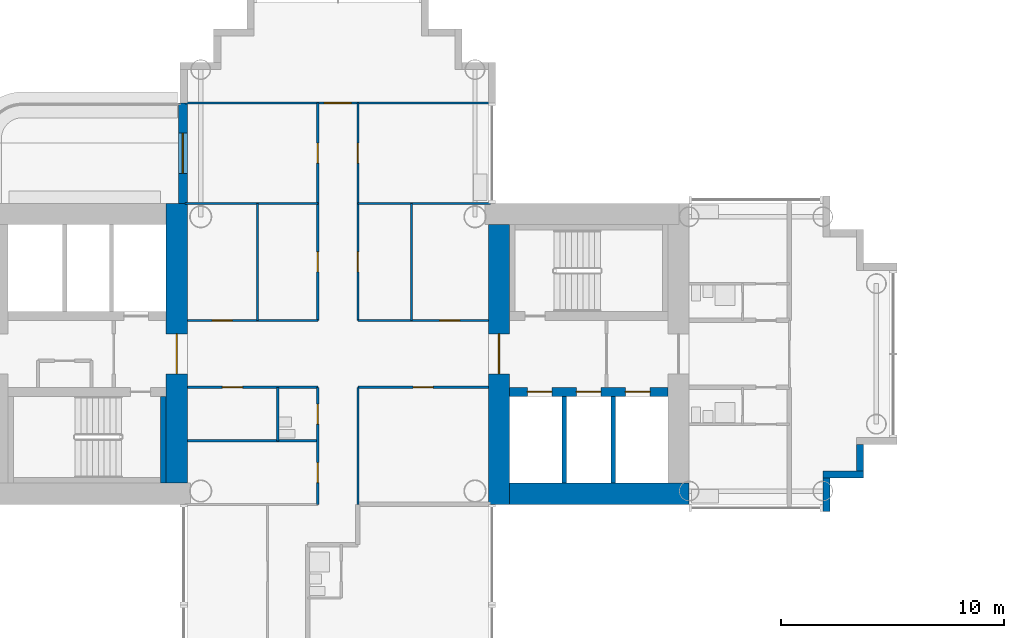
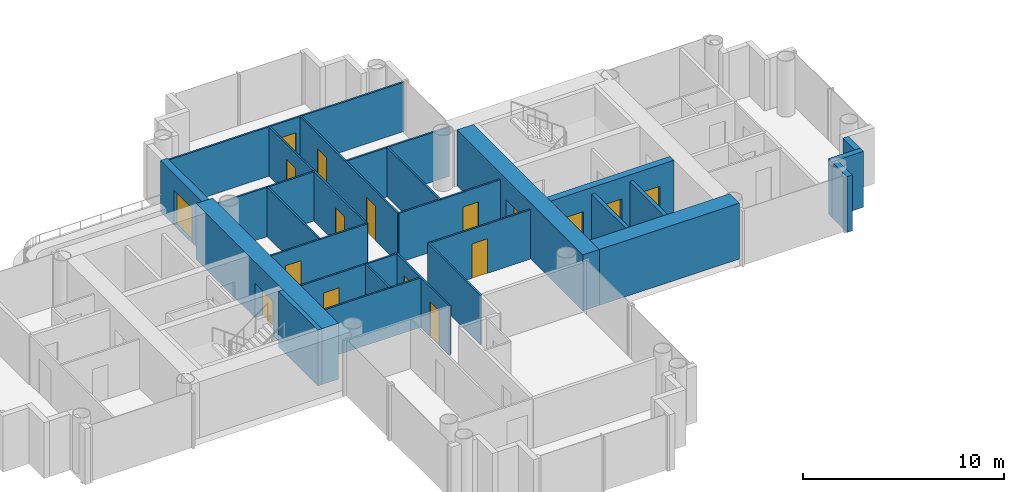
# One storey, part 10 of 21: 26 walls, 17 doors, 17 openings.
"""IFC4 building model written with IfcOpenShell, lengths in metres."""

from ifc_helpers import new_model, si_unit, direction, frame, frame_2d, origin, place, context, subcontext, project, spatial, rectangle, extrude, material, layer, layer_set, type_object, element, fill, save


model = new_model("IFC4")

# Units and contexts
model_context = context("Model", 3, precision=1e-05, world=origin(), true_north=direction((0.0, 1.0)))
body_context = subcontext(model_context, "Body", "Model", "MODEL_VIEW")
ifc_project = project(units=[si_unit("LENGTHUNIT", "METRE"), si_unit("AREAUNIT", "SQUARE_METRE"), si_unit("VOLUMEUNIT", "CUBIC_METRE"), si_unit("PLANEANGLEUNIT", "RADIAN"), si_unit("MASSUNIT", "GRAM", prefix="KILO")], contexts=[model_context])

# Site, building, storey
site_placement = place(None, origin())
site = spatial("IfcSite", under=ifc_project, at=site_placement, CompositionType="ELEMENT")
building_placement = place(site_placement, origin())
building = spatial("IfcBuilding", under=site, at=building_placement, Name="Ipe Terrace Towers", CompositionType="ELEMENT")
storey_placement = place(building_placement, frame((0.0, 0.0, 117.39990234375)))
storey = spatial("IfcBuildingStorey", under=building, at=storey_placement, Name="L32", CompositionType="ELEMENT", Elevation=117.39990234375)

# Wall, opening, door
ifc_material_1 = material(Name="Concrete C40/50 with buff precast cladding", Category="concrete")
ifc_layer_1 = layer(ifc_material_1, 0.39990234375)
ifc_layer_set_1 = layer_set([ifc_layer_1], Name="BALCONY BAY WALL 400")
wall_type_1 = type_object("IfcWallType", Name="BALCONY BAY WALL 400", PredefinedType="STANDARD", material=ifc_layer_set_1)
wall_1_placement = place(storey_placement, frame((-42.949951171875, 11.25, -0.02001953125), z_axis=(0.0, 0.0, 1.0), x_axis=(0.0, -1.0, 0.0)))
wall_1 = element("IfcWall", 1, at=wall_1_placement, inside=storey, type_object=wall_type_1, Name="T1-W-L32-44a wall", PredefinedType="STANDARD", context=body_context, shape_type="SweptSolid", body=[
    extrude(rectangle(XDim=4.5, YDim=0.39990234375, at=frame_2d((2.25, 0.0))), origin(), (0.0, 0.0, 1.0), 3.1201171875),
])
opening_1_placement = place(wall_1_placement, frame((1.35009765625, 0.0, 0.02001953125)))
opening_1 = element("IfcOpeningElement", 2, at=opening_1_placement, cuts=wall_1, Name="Opening T1-D-L32-44", PredefinedType="OPENING", context=body_context, shape_type="SweptSolid", body=[
    extrude(rectangle(XDim=1.800048828125, YDim=2.10009765625, at=frame_2d((0.89990234375, 1.050048828125))), frame((0.0, 0.2099609375, 0.0), z_axis=(0.0, -1.0, 0.0), x_axis=(1.0, 0.0, 0.0)), (0.0, 0.0, 1.0), 0.419921875),
])
ifc_material_2 = material(Name="Aluminium alloy 6063-T6 framed glazed door", Category="aluminium")
door_type_1 = type_object("IfcDoorType", Name="BALCONY DOOR 1800 x 2100 LEFT", OperationType="SINGLE_SWING_LEFT", PredefinedType="DOOR", material=ifc_material_2)
door_1_placement = place(opening_1_placement, origin())
door_1 = element("IfcDoor", 3, at=door_1_placement, inside=storey, type_object=door_type_1, Name="DB1 door", OperationType="SINGLE_SWING_LEFT", OverallHeight=2.10009765625, OverallWidth=1.800048828125, PredefinedType="DOOR", context=body_context, shape_type="SweptSolid", body=[
    extrude(rectangle(XDim=1.800048828125, YDim=2.10009765625, at=frame_2d((0.89990234375, 1.050048828125))), frame((0.0, 0.02490234375, 0.0), z_axis=(0.0, -1.0, 0.0), x_axis=(1.0, 0.0, 0.0)), (0.0, 0.0, 1.0), 0.050048828125),
])
fill(opening_1, door_1)

# Walls
ifc_material_3 = material(Name="Concrete C40/50 with buff precast cladding", Category="concrete")
ifc_layer_2 = layer(ifc_material_3, 0.320068359375)
ifc_layer_set_2 = layer_set([ifc_layer_2], Name="BUFF CLADDING WALL 320")
wall_type_2 = type_object("IfcWallType", Name="BUFF CLADDING WALL 320", PredefinedType="STANDARD", material=ifc_layer_set_2)
wall_2_placement = place(storey_placement, frame((-14.090087890625, -7.070068359375, -0.2998046875), z_axis=(0.0, 0.0, 1.0), x_axis=(0.0, 1.0, 0.0)))
element("IfcWall", 4, at=wall_2_placement, inside=storey, type_object=wall_type_2, Name="T1-W-L32-21a wall", PredefinedType="STANDARD", context=body_context, shape_type="SweptSolid", body=[
    extrude(rectangle(XDim=1.5, YDim=0.320068359375, at=frame_2d((0.75, 0.0))), origin(), (0.0, 0.0, 1.0), 3.39990234375),
])
wall_3_placement = place(storey_placement, frame((-14.25, -5.409912109375, -0.2998046875), z_axis=(0.0, 0.0, 1.0), x_axis=(1.0, 0.0, 0.0)))
element("IfcWall", 5, at=wall_3_placement, inside=storey, type_object=wall_type_2, Name="T1-W-L32-22a wall", PredefinedType="STANDARD", context=body_context, shape_type="SweptSolid", body=[
    extrude(rectangle(XDim=1.820068359375, YDim=0.320068359375, at=frame_2d((0.91015625, 0.0))), origin(), (0.0, 0.0, 1.0), 3.39990234375),
])
wall_4_placement = place(storey_placement, frame((-12.590087890625, -5.25, -0.2998046875), z_axis=(0.0, 0.0, 1.0), x_axis=(0.0, 1.0, 0.0)))
element("IfcWall", 6, at=wall_4_placement, inside=storey, type_object=wall_type_2, Name="T1-W-L32-23a wall", PredefinedType="STANDARD", context=body_context, shape_type="SweptSolid", body=[
    extrude(rectangle(XDim=1.179931640625, YDim=0.320068359375, at=frame_2d((0.58984375, 0.0))), origin(), (0.0, 0.0, 1.0), 3.39990234375),
])
ifc_material_4 = material(Name="Gypsum board partition", Category="plasterboard")
ifc_layer_3 = layer(ifc_material_4, 0.10009765625)
ifc_layer_set_3 = layer_set([ifc_layer_3], Name="Gypsum board partition 100 mm")
wall_type_3 = type_object("IfcWallType", Name="Gypsum board partition 100 mm", PredefinedType="PARTITIONING", material=ifc_layer_set_3)
wall_5_placement = place(storey_placement, frame((-39.60009765625, 1.5, 0.0), z_axis=(0.0, 0.0, 1.0), x_axis=(0.0, 1.0, 0.0)))
element("IfcWall", 7, at=wall_5_placement, inside=storey, type_object=wall_type_3, Name="Gypsum board partition T1 L32 W04", PredefinedType="PARTITIONING", context=body_context, shape_type="SweptSolid", body=[
    extrude(rectangle(XDim=5.25, YDim=0.10009765625, at=frame_2d((2.625, 0.0))), origin(), (0.0, 0.0, 1.0), 3.0),
])
wall_6_placement = place(storey_placement, frame((-38.699951171875, -3.89990234375, 0.0), z_axis=(0.0, 0.0, 1.0), x_axis=(0.0, 1.0, 0.0)))
element("IfcWall", 8, at=wall_6_placement, inside=storey, type_object=wall_type_3, Name="Gypsum board partition T1 L32 W06", PredefinedType="PARTITIONING", context=body_context, shape_type="SweptSolid", body=[
    extrude(rectangle(XDim=2.39990234375, YDim=0.10009765625, at=frame_2d((1.199951171875, 0.0))), origin(), (0.0, 0.0, 1.0), 3.0),
])

# Wall, openings, doors
wall_7_placement = place(storey_placement, frame((-36.89990234375, -6.75, 0.0), z_axis=(0.0, 0.0, 1.0), x_axis=(0.0, 1.0, 0.0)))
wall_7 = element("IfcWall", 9, at=wall_7_placement, inside=storey, type_object=wall_type_3, Name="Gypsum board partition T1 L32 W08", PredefinedType="PARTITIONING", context=body_context, shape_type="SweptSolid", body=[
    extrude(rectangle(XDim=5.25, YDim=0.10009765625, at=frame_2d((2.625, 0.0))), origin(), (0.0, 0.0, 1.0), 3.0),
])
opening_2_placement = place(wall_7_placement, frame((3.60009765625, 0.0, 0.0)))
opening_2 = element("IfcOpeningElement", 10, at=opening_2_placement, cuts=wall_7, Name="Opening T1-Z2A-01", PredefinedType="OPENING", context=body_context, shape_type="SweptSolid", body=[
    extrude(rectangle(XDim=0.89990234375, YDim=2.10009765625, at=frame_2d((0.449951171875, 1.050048828125))), frame((0.0, 0.06005859375, 0.0), z_axis=(0.0, -1.0, 0.0), x_axis=(1.0, 0.0, 0.0)), (0.0, 0.0, 1.0), 0.1201171875),
])
opening_3_placement = place(wall_7_placement, frame((0.97509765625, 0.0, 0.0)))
opening_3 = element("IfcOpeningElement", 11, at=opening_3_placement, cuts=wall_7, Name="Opening T1-Z2A-07", PredefinedType="OPENING", context=body_context, shape_type="SweptSolid", body=[
    extrude(rectangle(XDim=0.89990234375, YDim=2.10009765625, at=frame_2d((0.449951171875, 1.050048828125))), frame((0.0, 0.06005859375, 0.0), z_axis=(0.0, -1.0, 0.0), x_axis=(1.0, 0.0, 0.0)), (0.0, 0.0, 1.0), 0.1201171875),
])
ifc_material_5 = material(Name="Timber door leaf", Category="wood")
door_type_2 = type_object("IfcDoorType", Name="Bathroom door 900 x 2100", OperationType="NOTDEFINED", PredefinedType="DOOR", material=ifc_material_5)
door_2_placement = place(opening_2_placement, origin())
door_2 = element("IfcDoor", 12, at=door_2_placement, inside=storey, type_object=door_type_2, Name="Bathroom door T1-Z2A-01", OperationType="SINGLE_SWING_LEFT", OverallHeight=2.10009765625, OverallWidth=0.89990234375, PredefinedType="DOOR", context=body_context, shape_type="SweptSolid", body=[
    extrude(rectangle(XDim=0.89990234375, YDim=2.10009765625, at=frame_2d((0.449951171875, 1.050048828125))), frame((0.0, 0.02490234375, 0.0), z_axis=(0.0, -1.0, 0.0), x_axis=(1.0, 0.0, 0.0)), (0.0, 0.0, 1.0), 0.050048828125),
])
fill(opening_2, door_2)
ifc_material_6 = material(Name="Timber door leaf", Category="wood")
door_type_3 = type_object("IfcDoorType", Name="Lounge door 900 x 2100", OperationType="NOTDEFINED", PredefinedType="DOOR", material=ifc_material_6)
door_3_placement = place(opening_3_placement, origin())
door_3 = element("IfcDoor", 13, at=door_3_placement, inside=storey, type_object=door_type_3, Name="Lounge door T1-Z2A-07", OperationType="SINGLE_SWING_RIGHT", OverallHeight=2.10009765625, OverallWidth=0.89990234375, PredefinedType="DOOR", context=body_context, shape_type="SweptSolid", body=[
    extrude(rectangle(XDim=0.89990234375, YDim=2.10009765625, at=frame_2d((0.449951171875, 1.050048828125))), frame((0.0, 0.02490234375, 0.0), z_axis=(0.0, -1.0, 0.0), x_axis=(1.0, 0.0, 0.0)), (0.0, 0.0, 1.0), 0.050048828125),
])
fill(opening_3, door_3)

wall_8_placement = place(storey_placement, frame((-36.89990234375, 1.5, 0.0), z_axis=(0.0, 0.0, 1.0), x_axis=(0.0, 1.0, 0.0)))
wall_8 = element("IfcWall", 14, at=wall_8_placement, inside=storey, type_object=wall_type_3, Name="Gypsum board partition T1 L32 W09", PredefinedType="PARTITIONING", context=body_context, shape_type="SweptSolid", body=[
    extrude(rectangle(XDim=9.75, YDim=0.10009765625, at=frame_2d((4.875, 0.0))), origin(), (0.0, 0.0, 1.0), 3.0),
])
opening_4_placement = place(wall_8_placement, frame((2.175048828125, 0.0, 0.0)))
opening_4 = element("IfcOpeningElement", 15, at=opening_4_placement, cuts=wall_8, Name="Opening T1-Z2A-04", PredefinedType="OPENING", context=body_context, shape_type="SweptSolid", body=[
    extrude(rectangle(XDim=0.89990234375, YDim=2.10009765625, at=frame_2d((0.449951171875, 1.050048828125))), frame((0.0, 0.06005859375, 0.0), z_axis=(0.0, -1.0, 0.0), x_axis=(1.0, 0.0, 0.0)), (0.0, 0.0, 1.0), 0.1201171875),
])
opening_5_placement = place(wall_8_placement, frame((7.050048828125, 0.0, 0.0)))
opening_5 = element("IfcOpeningElement", 16, at=opening_5_placement, cuts=wall_8, Name="Opening T1-Z2A-09", PredefinedType="OPENING", context=body_context, shape_type="SweptSolid", body=[
    extrude(rectangle(XDim=0.89990234375, YDim=2.10009765625, at=frame_2d((0.449951171875, 1.050048828125))), frame((0.0, 0.06005859375, 0.0), z_axis=(0.0, -1.0, 0.0), x_axis=(1.0, 0.0, 0.0)), (0.0, 0.0, 1.0), 0.1201171875),
])
door_4_placement = place(opening_4_placement, origin())
door_4 = element("IfcDoor", 17, at=door_4_placement, inside=storey, type_object=door_type_3, Name="Lounge door T1-Z2A-04", OperationType="SINGLE_SWING_RIGHT", OverallHeight=2.10009765625, OverallWidth=0.89990234375, PredefinedType="DOOR", context=body_context, shape_type="SweptSolid", body=[
    extrude(rectangle(XDim=0.89990234375, YDim=2.10009765625, at=frame_2d((0.449951171875, 1.050048828125))), frame((0.0, 0.02490234375, 0.0), z_axis=(0.0, -1.0, 0.0), x_axis=(1.0, 0.0, 0.0)), (0.0, 0.0, 1.0), 0.050048828125),
])
fill(opening_4, door_4)
door_5_placement = place(opening_5_placement, origin())
door_5 = element("IfcDoor", 18, at=door_5_placement, inside=storey, type_object=door_type_3, Name="Lounge door T1-Z2A-09", OperationType="SINGLE_SWING_LEFT", OverallHeight=2.10009765625, OverallWidth=0.89990234375, PredefinedType="DOOR", context=body_context, shape_type="SweptSolid", body=[
    extrude(rectangle(XDim=0.89990234375, YDim=2.10009765625, at=frame_2d((0.449951171875, 1.050048828125))), frame((0.0, 0.02490234375, 0.0), z_axis=(0.0, -1.0, 0.0), x_axis=(1.0, 0.0, 0.0)), (0.0, 0.0, 1.0), 0.050048828125),
])
fill(opening_5, door_5)

# Wall
wall_9_placement = place(storey_placement, frame((-35.10009765625, -6.75, 0.0), z_axis=(0.0, 0.0, 1.0), x_axis=(0.0, 1.0, 0.0)))
element("IfcWall", 19, at=wall_9_placement, inside=storey, type_object=wall_type_3, Name="Gypsum board partition T1 L32 W11", PredefinedType="PARTITIONING", context=body_context, shape_type="SweptSolid", body=[
    extrude(rectangle(XDim=5.25, YDim=0.10009765625, at=frame_2d((2.625, 0.0))), origin(), (0.0, 0.0, 1.0), 3.0),
])

# Wall, openings, doors
wall_10_placement = place(storey_placement, frame((-35.10009765625, 1.5, 0.0), z_axis=(0.0, 0.0, 1.0), x_axis=(0.0, 1.0, 0.0)))
wall_10 = element("IfcWall", 20, at=wall_10_placement, inside=storey, type_object=wall_type_3, Name="Gypsum board partition T1 L32 W12", PredefinedType="PARTITIONING", context=body_context, shape_type="SweptSolid", body=[
    extrude(rectangle(XDim=9.75, YDim=0.10009765625, at=frame_2d((4.875, 0.0))), origin(), (0.0, 0.0, 1.0), 3.0),
])
opening_6_placement = place(wall_10_placement, frame((2.175048828125, 0.0, 0.0)))
opening_6 = element("IfcOpeningElement", 21, at=opening_6_placement, cuts=wall_10, Name="Opening T1-Z2A-02", PredefinedType="OPENING", context=body_context, shape_type="SweptSolid", body=[
    extrude(rectangle(XDim=0.89990234375, YDim=2.10009765625, at=frame_2d((0.449951171875, 1.050048828125))), frame((0.0, 0.06005859375, 0.0), z_axis=(0.0, -1.0, 0.0), x_axis=(1.0, 0.0, 0.0)), (0.0, 0.0, 1.0), 0.1201171875),
])
opening_7_placement = place(wall_10_placement, frame((7.050048828125, 0.0, 0.0)))
opening_7 = element("IfcOpeningElement", 22, at=opening_7_placement, cuts=wall_10, Name="Opening T1-Z2A-10", PredefinedType="OPENING", context=body_context, shape_type="SweptSolid", body=[
    extrude(rectangle(XDim=0.89990234375, YDim=2.10009765625, at=frame_2d((0.449951171875, 1.050048828125))), frame((0.0, 0.06005859375, 0.0), z_axis=(0.0, -1.0, 0.0), x_axis=(1.0, 0.0, 0.0)), (0.0, 0.0, 1.0), 0.1201171875),
])
door_6_placement = place(opening_6_placement, origin())
door_6 = element("IfcDoor", 23, at=door_6_placement, inside=storey, type_object=door_type_3, Name="Lounge door T1-Z2A-02", OperationType="SINGLE_SWING_LEFT", OverallHeight=2.10009765625, OverallWidth=0.89990234375, PredefinedType="DOOR", context=body_context, shape_type="SweptSolid", body=[
    extrude(rectangle(XDim=0.89990234375, YDim=2.10009765625, at=frame_2d((0.449951171875, 1.050048828125))), frame((0.0, 0.02490234375, 0.0), z_axis=(0.0, -1.0, 0.0), x_axis=(1.0, 0.0, 0.0)), (0.0, 0.0, 1.0), 0.050048828125),
])
fill(opening_6, door_6)
door_7_placement = place(opening_7_placement, origin())
door_7 = element("IfcDoor", 24, at=door_7_placement, inside=storey, type_object=door_type_3, Name="Lounge door T1-Z2A-10", OperationType="SINGLE_SWING_RIGHT", OverallHeight=2.10009765625, OverallWidth=0.89990234375, PredefinedType="DOOR", context=body_context, shape_type="SweptSolid", body=[
    extrude(rectangle(XDim=0.89990234375, YDim=2.10009765625, at=frame_2d((0.449951171875, 1.050048828125))), frame((0.0, 0.02490234375, 0.0), z_axis=(0.0, -1.0, 0.0), x_axis=(1.0, 0.0, 0.0)), (0.0, 0.0, 1.0), 0.050048828125),
])
fill(opening_7, door_7)

# Walls
wall_11_placement = place(storey_placement, frame((-32.699951171875, 1.5, 0.0), z_axis=(0.0, 0.0, 1.0), x_axis=(0.0, 1.0, 0.0)))
element("IfcWall", 25, at=wall_11_placement, inside=storey, type_object=wall_type_3, Name="Gypsum board partition T1 L32 W14", PredefinedType="PARTITIONING", context=body_context, shape_type="SweptSolid", body=[
    extrude(rectangle(XDim=5.25, YDim=0.10009765625, at=frame_2d((2.625, 0.0))), origin(), (0.0, 0.0, 1.0), 3.0),
])
wall_12_placement = place(storey_placement, frame((-42.75, -3.89990234375, 0.0), z_axis=(0.0, 0.0, 1.0), x_axis=(1.0, 0.0, 0.0)))
element("IfcWall", 26, at=wall_12_placement, inside=storey, type_object=wall_type_3, Name="Gypsum board partition T1 L32 W26", PredefinedType="PARTITIONING", context=body_context, shape_type="SweptSolid", body=[
    extrude(rectangle(XDim=5.85009765625, YDim=0.10009765625, at=frame_2d((2.925048828125, 0.0))), origin(), (0.0, 0.0, 1.0), 3.0),
])

# Wall, opening, door
wall_13_placement = place(storey_placement, frame((-42.75, -1.5, 0.0), z_axis=(0.0, 0.0, 1.0), x_axis=(1.0, 0.0, 0.0)))
wall_13 = element("IfcWall", 27, at=wall_13_placement, inside=storey, type_object=wall_type_3, Name="Gypsum board partition T1 L32 W29", PredefinedType="PARTITIONING", context=body_context, shape_type="SweptSolid", body=[
    extrude(rectangle(XDim=5.85009765625, YDim=0.10009765625, at=frame_2d((2.925048828125, 0.0))), origin(), (0.0, 0.0, 1.0), 3.0),
])
opening_8_placement = place(wall_13_placement, frame((1.574951171875, 0.0, 0.0)))
opening_8 = element("IfcOpeningElement", 28, at=opening_8_placement, cuts=wall_13, Name="Opening T1-Z2A-06", PredefinedType="OPENING", context=body_context, shape_type="SweptSolid", body=[
    extrude(rectangle(XDim=0.89990234375, YDim=2.10009765625, at=frame_2d((0.449951171875, 1.050048828125))), frame((0.0, 0.06005859375, 0.0), z_axis=(0.0, -1.0, 0.0), x_axis=(1.0, 0.0, 0.0)), (0.0, 0.0, 1.0), 0.1201171875),
])
door_8_placement = place(opening_8_placement, origin())
door_8 = element("IfcDoor", 29, at=door_8_placement, inside=storey, type_object=door_type_3, Name="Lounge door T1-Z2A-06", OperationType="SINGLE_SWING_LEFT", OverallHeight=2.10009765625, OverallWidth=0.89990234375, PredefinedType="DOOR", context=body_context, shape_type="SweptSolid", body=[
    extrude(rectangle(XDim=0.89990234375, YDim=2.10009765625, at=frame_2d((0.449951171875, 1.050048828125))), frame((0.0, 0.02490234375, 0.0), z_axis=(0.0, -1.0, 0.0), x_axis=(1.0, 0.0, 0.0)), (0.0, 0.0, 1.0), 0.050048828125),
])
fill(opening_8, door_8)

wall_14_placement = place(storey_placement, frame((-35.10009765625, -1.5, 0.0), z_axis=(0.0, 0.0, 1.0), x_axis=(1.0, 0.0, 0.0)))
wall_14 = element("IfcWall", 30, at=wall_14_placement, inside=storey, type_object=wall_type_3, Name="Gypsum board partition T1 L32 W30", PredefinedType="PARTITIONING", context=body_context, shape_type="SweptSolid", body=[
    extrude(rectangle(XDim=5.85009765625, YDim=0.10009765625, at=frame_2d((2.925048828125, 0.0))), origin(), (0.0, 0.0, 1.0), 3.0),
])
opening_9_placement = place(wall_14_placement, frame((2.47509765625, 0.0, 0.0)))
opening_9 = element("IfcOpeningElement", 31, at=opening_9_placement, cuts=wall_14, Name="Opening T1-Z2A-08", PredefinedType="OPENING", context=body_context, shape_type="SweptSolid", body=[
    extrude(rectangle(XDim=0.89990234375, YDim=2.10009765625, at=frame_2d((0.449951171875, 1.050048828125))), frame((0.0, 0.06005859375, 0.0), z_axis=(0.0, -1.0, 0.0), x_axis=(1.0, 0.0, 0.0)), (0.0, 0.0, 1.0), 0.1201171875),
])
door_9_placement = place(opening_9_placement, origin())
door_9 = element("IfcDoor", 32, at=door_9_placement, inside=storey, type_object=door_type_3, Name="Lounge door T1-Z2A-08", OperationType="SINGLE_SWING_RIGHT", OverallHeight=2.10009765625, OverallWidth=0.89990234375, PredefinedType="DOOR", context=body_context, shape_type="SweptSolid", body=[
    extrude(rectangle(XDim=0.89990234375, YDim=2.10009765625, at=frame_2d((0.449951171875, 1.050048828125))), frame((0.0, 0.02490234375, 0.0), z_axis=(0.0, -1.0, 0.0), x_axis=(1.0, 0.0, 0.0)), (0.0, 0.0, 1.0), 0.050048828125),
])
fill(opening_9, door_9)

wall_15_placement = place(storey_placement, frame((-42.75, 1.5, 0.0), z_axis=(0.0, 0.0, 1.0), x_axis=(1.0, 0.0, 0.0)))
wall_15 = element("IfcWall", 33, at=wall_15_placement, inside=storey, type_object=wall_type_3, Name="Gypsum board partition T1 L32 W32", PredefinedType="PARTITIONING", context=body_context, shape_type="SweptSolid", body=[
    extrude(rectangle(XDim=5.85009765625, YDim=0.10009765625, at=frame_2d((2.925048828125, 0.0))), origin(), (0.0, 0.0, 1.0), 3.0),
])
opening_10_placement = place(wall_15_placement, frame((1.125, 0.0, 0.0)))
opening_10 = element("IfcOpeningElement", 34, at=opening_10_placement, cuts=wall_15, Name="Opening T1-Z2A-05", PredefinedType="OPENING", context=body_context, shape_type="SweptSolid", body=[
    extrude(rectangle(XDim=0.89990234375, YDim=2.10009765625, at=frame_2d((0.449951171875, 1.050048828125))), frame((0.0, 0.06005859375, 0.0), z_axis=(0.0, -1.0, 0.0), x_axis=(1.0, 0.0, 0.0)), (0.0, 0.0, 1.0), 0.1201171875),
])
door_10_placement = place(opening_10_placement, origin())
door_10 = element("IfcDoor", 35, at=door_10_placement, inside=storey, type_object=door_type_3, Name="Lounge door T1-Z2A-05", OperationType="SINGLE_SWING_RIGHT", OverallHeight=2.10009765625, OverallWidth=0.89990234375, PredefinedType="DOOR", context=body_context, shape_type="SweptSolid", body=[
    extrude(rectangle(XDim=0.89990234375, YDim=2.10009765625, at=frame_2d((0.449951171875, 1.050048828125))), frame((0.0, 0.02490234375, 0.0), z_axis=(0.0, -1.0, 0.0), x_axis=(1.0, 0.0, 0.0)), (0.0, 0.0, 1.0), 0.050048828125),
])
fill(opening_10, door_10)

wall_16_placement = place(storey_placement, frame((-35.10009765625, 1.5, 0.0), z_axis=(0.0, 0.0, 1.0), x_axis=(1.0, 0.0, 0.0)))
wall_16 = element("IfcWall", 36, at=wall_16_placement, inside=storey, type_object=wall_type_3, Name="Gypsum board partition T1 L32 W33", PredefinedType="PARTITIONING", context=body_context, shape_type="SweptSolid", body=[
    extrude(rectangle(XDim=5.85009765625, YDim=0.10009765625, at=frame_2d((2.925048828125, 0.0))), origin(), (0.0, 0.0, 1.0), 3.0),
])
opening_11_placement = place(wall_16_placement, frame((3.675048828125, 0.0, 0.0)))
opening_11 = element("IfcOpeningElement", 37, at=opening_11_placement, cuts=wall_16, Name="Opening T1-Z2A-03", PredefinedType="OPENING", context=body_context, shape_type="SweptSolid", body=[
    extrude(rectangle(XDim=0.89990234375, YDim=2.10009765625, at=frame_2d((0.449951171875, 1.050048828125))), frame((0.0, 0.06005859375, 0.0), z_axis=(0.0, -1.0, 0.0), x_axis=(1.0, 0.0, 0.0)), (0.0, 0.0, 1.0), 0.1201171875),
])
door_11_placement = place(opening_11_placement, origin())
door_11 = element("IfcDoor", 38, at=door_11_placement, inside=storey, type_object=door_type_3, Name="Lounge door T1-Z2A-03", OperationType="SINGLE_SWING_LEFT", OverallHeight=2.10009765625, OverallWidth=0.89990234375, PredefinedType="DOOR", context=body_context, shape_type="SweptSolid", body=[
    extrude(rectangle(XDim=0.89990234375, YDim=2.10009765625, at=frame_2d((0.449951171875, 1.050048828125))), frame((0.0, 0.02490234375, 0.0), z_axis=(0.0, -1.0, 0.0), x_axis=(1.0, 0.0, 0.0)), (0.0, 0.0, 1.0), 0.050048828125),
])
fill(opening_11, door_11)

# Walls
for number, where, z_axis, x_axis, name in (
    (39, (-42.85009765625, 6.75, 0.0), (0.0, 0.0, 1.0), (1.0, 0.0, 0.0), "Gypsum board partition T1 L32 W38"),
    (40, (-35.10009765625, 6.75, 0.0), (0.0, 0.0, 1.0), (1.0, 0.0, 0.0), "Gypsum board partition T1 L32 W39"),
):
    element("IfcWall", number, at=place(storey_placement, frame(where, z_axis=z_axis, x_axis=x_axis)), inside=storey, type_object=wall_type_3, Name=name, PredefinedType="PARTITIONING", context=body_context, shape_type="SweptSolid", body=[
        extrude(rectangle(XDim=5.9501953125, YDim=0.10009765625, at=frame_2d((2.97509765625, 0.0))), origin(), (0.0, 0.0, 1.0), 3.0),
    ])

# Wall, opening, door
wall_17_placement = place(storey_placement, frame((-42.85009765625, 11.25, 0.0), z_axis=(0.0, 0.0, 1.0), x_axis=(1.0, 0.0, 0.0)))
wall_17 = element("IfcWall", 41, at=wall_17_placement, inside=storey, type_object=wall_type_3, Name="Gypsum board partition T1 L32 W40", PredefinedType="PARTITIONING", context=body_context, shape_type="SweptSolid", body=[
    extrude(rectangle(XDim=13.7001953125, YDim=0.10009765625, at=frame_2d((6.85009765625, 0.0))), origin(), (0.0, 0.0, 1.0), 3.0),
])
opening_12_placement = place(wall_17_placement, frame((6.25, 0.0, 0.0)))
opening_12 = element("IfcOpeningElement", 42, at=opening_12_placement, cuts=wall_17, Name="Opening T1-Z2A-11", PredefinedType="OPENING", context=body_context, shape_type="SweptSolid", body=[
    extrude(rectangle(XDim=1.199951171875, YDim=2.10009765625, at=frame_2d((0.60009765625, 1.050048828125))), frame((0.0, 0.06005859375, 0.0), z_axis=(0.0, -1.0, 0.0), x_axis=(1.0, 0.0, 0.0)), (0.0, 0.0, 1.0), 0.1201171875),
])
ifc_material_7 = material(Name="Timber door leaf", Category="wood")
door_type_4 = type_object("IfcDoorType", Name="Lounge door 1200 x 2100", OperationType="NOTDEFINED", PredefinedType="DOOR", material=ifc_material_7)
door_12_placement = place(opening_12_placement, origin())
door_12 = element("IfcDoor", 43, at=door_12_placement, inside=storey, type_object=door_type_4, Name="Lounge door T1-Z2A-11", OperationType="SINGLE_SWING_LEFT", OverallHeight=2.10009765625, OverallWidth=1.199951171875, PredefinedType="DOOR", context=body_context, shape_type="SweptSolid", body=[
    extrude(rectangle(XDim=1.199951171875, YDim=2.10009765625, at=frame_2d((0.60009765625, 1.050048828125))), frame((0.0, 0.02490234375, 0.0), z_axis=(0.0, -1.0, 0.0), x_axis=(1.0, 0.0, 0.0)), (0.0, 0.0, 1.0), 0.050048828125),
])
fill(opening_12, door_12)

# Walls
ifc_material_8 = material(Name="Gypsum board party wall", Category="plasterboard")
ifc_layer_4 = layer(ifc_material_8, 0.199951171875)
ifc_layer_set_4 = layer_set([ifc_layer_4], Name="Gypsum board party wall 200 mm")
wall_type_4 = type_object("IfcWallType", Name="Gypsum board party wall 200 mm", PredefinedType="SOLIDWALL", material=ifc_layer_set_4)
for number, where, z_axis, x_axis, name in (
    (44, (-25.85009765625, -5.800048828125, 0.0), (0.0, 0.0, 1.0), (0.0, 1.0, 0.0), "Gypsum board party wall T1 L32 t1c1-shaft-div1"),
    (45, (-23.64990234375, -5.800048828125, 0.0), (0.0, 0.0, 1.0), (0.0, 1.0, 0.0), "Gypsum board party wall T1 L32 t1c1-shaft-div2"),
):
    element("IfcWall", number, at=place(storey_placement, frame(where, z_axis=z_axis, x_axis=x_axis)), inside=storey, type_object=wall_type_4, Name=name, PredefinedType="SOLIDWALL", context=body_context, shape_type="SweptSolid", body=[
        extrude(rectangle(XDim=3.900146484375, YDim=0.199951171875, at=frame_2d((1.9501953125, 0.0))), origin(), (0.0, 0.0, 1.0), 3.0),
    ])
ifc_material_9 = material(Name="Concrete C50/60", Category="concrete")
ifc_layer_5 = layer(ifc_material_9, 0.25)
ifc_layer_set_5 = layer_set([ifc_layer_5], Name="RW250 CORE INFILL WALL 250 C50-60")
wall_type_5 = type_object("IfcWallType", Name="RW250 CORE INFILL WALL 250 C50-60", PredefinedType="SHEAR", material=ifc_layer_set_5)
wall_18_placement = place(storey_placement, frame((-43.824951171875, -1.89990234375, 0.0), z_axis=(0.0, 0.0, 1.0), x_axis=(0.0, -1.0, 0.0)))
element("IfcWall", 46, at=wall_18_placement, inside=storey, type_object=wall_type_5, Name="Core infill wall T1-C2-near", PredefinedType="SHEAR", context=body_context, shape_type="SweptSolid", body=[
    extrude(rectangle(XDim=3.900146484375, YDim=0.25, at=frame_2d((1.9501953125, 0.0))), origin(), (0.0, 0.0, 1.0), 3.400146484375),
])

# Wall, openings, doors
ifc_material_10 = material(Name="Concrete C50/60", Category="concrete")
ifc_layer_6 = layer(ifc_material_10, 0.39990234375)
ifc_layer_set_6 = layer_set([ifc_layer_6], Name="RW400 CORE SPINE WALL 400 C50-60")
wall_type_6 = type_object("IfcWallType", Name="RW400 CORE SPINE WALL 400 C50-60", PredefinedType="SHEAR", material=ifc_layer_set_6)
wall_19_placement = place(storey_placement, frame((-28.300048828125, -1.699951171875, 0.0), z_axis=(0.0, 0.0, 1.0), x_axis=(1.0, 0.0, 0.0)))
wall_19 = element("IfcWall", 47, at=wall_19_placement, inside=storey, type_object=wall_type_6, Name="Core spine wall T1-C1-Z2-SW1", PredefinedType="SHEAR", context=body_context, shape_type="SweptSolid", body=[
    extrude(rectangle(XDim=7.10009765625, YDim=0.39990234375, at=frame_2d((3.550048828125, 0.0))), origin(), (0.0, 0.0, 1.0), 3.400146484375),
])
opening_13_placement = place(wall_19_placement, frame((0.800048828125, 0.0, 0.0)))
opening_13 = element("IfcOpeningElement", 48, at=opening_13_placement, cuts=wall_19, Name="Opening T1C1-LD1", PredefinedType="OPENING", context=body_context, shape_type="SweptSolid", body=[
    extrude(rectangle(XDim=1.10009765625, YDim=2.10009765625, at=frame_2d((0.550048828125, 1.050048828125))), frame((0.0, 0.2099609375, 0.0), z_axis=(0.0, -1.0, 0.0), x_axis=(1.0, 0.0, 0.0)), (0.0, 0.0, 1.0), 0.419921875),
])
opening_14_placement = place(wall_19_placement, frame((3.0, 0.0, 0.0)))
opening_14 = element("IfcOpeningElement", 49, at=opening_14_placement, cuts=wall_19, Name="Opening T1C1-LD2", PredefinedType="OPENING", context=body_context, shape_type="SweptSolid", body=[
    extrude(rectangle(XDim=1.10009765625, YDim=2.10009765625, at=frame_2d((0.550048828125, 1.050048828125))), frame((0.0, 0.2099609375, 0.0), z_axis=(0.0, -1.0, 0.0), x_axis=(1.0, 0.0, 0.0)), (0.0, 0.0, 1.0), 0.419921875),
])
opening_15_placement = place(wall_19_placement, frame((5.199951171875, 0.0, 0.0)))
opening_15 = element("IfcOpeningElement", 50, at=opening_15_placement, cuts=wall_19, Name="Opening T1C1-LD3", PredefinedType="OPENING", context=body_context, shape_type="SweptSolid", body=[
    extrude(rectangle(XDim=1.10009765625, YDim=2.10009765625, at=frame_2d((0.550048828125, 1.050048828125))), frame((0.0, 0.2099609375, 0.0), z_axis=(0.0, -1.0, 0.0), x_axis=(1.0, 0.0, 0.0)), (0.0, 0.0, 1.0), 0.419921875),
])
ifc_material_11 = material(Name="Fire-rated timber door leaf", Category="wood")
door_type_5 = type_object("IfcDoorType", Name="Sliding door 1100 x 2100 FD60", OperationType="SLIDING_TO_LEFT", PredefinedType="DOOR", material=ifc_material_11)
door_13_placement = place(opening_13_placement, origin())
door_13 = element("IfcDoor", 51, at=door_13_placement, inside=storey, type_object=door_type_5, Name="Sliding door T1C1-LD1", OperationType="SLIDING_TO_LEFT", OverallHeight=2.10009765625, OverallWidth=1.10009765625, PredefinedType="DOOR", context=body_context, shape_type="SweptSolid", body=[
    extrude(rectangle(XDim=1.10009765625, YDim=2.10009765625, at=frame_2d((0.550048828125, 1.050048828125))), frame((0.0, 0.02490234375, 0.0), z_axis=(0.0, -1.0, 0.0), x_axis=(1.0, 0.0, 0.0)), (0.0, 0.0, 1.0), 0.050048828125),
])
fill(opening_13, door_13)
door_14_placement = place(opening_14_placement, origin())
door_14 = element("IfcDoor", 52, at=door_14_placement, inside=storey, type_object=door_type_5, Name="Sliding door T1C1-LD2", OperationType="SLIDING_TO_LEFT", OverallHeight=2.10009765625, OverallWidth=1.10009765625, PredefinedType="DOOR", context=body_context, shape_type="SweptSolid", body=[
    extrude(rectangle(XDim=1.10009765625, YDim=2.10009765625, at=frame_2d((0.550048828125, 1.050048828125))), frame((0.0, 0.02490234375, 0.0), z_axis=(0.0, -1.0, 0.0), x_axis=(1.0, 0.0, 0.0)), (0.0, 0.0, 1.0), 0.050048828125),
])
fill(opening_14, door_14)
door_15_placement = place(opening_15_placement, origin())
door_15 = element("IfcDoor", 53, at=door_15_placement, inside=storey, type_object=door_type_5, Name="Sliding door T1C1-LD3", OperationType="SLIDING_TO_LEFT", OverallHeight=2.10009765625, OverallWidth=1.10009765625, PredefinedType="DOOR", context=body_context, shape_type="SweptSolid", body=[
    extrude(rectangle(XDim=1.10009765625, YDim=2.10009765625, at=frame_2d((0.550048828125, 1.050048828125))), frame((0.0, 0.02490234375, 0.0), z_axis=(0.0, -1.0, 0.0), x_axis=(1.0, 0.0, 0.0)), (0.0, 0.0, 1.0), 0.050048828125),
])
fill(opening_15, door_15)

# Wall
ifc_material_12 = material(Name="Concrete C50/60", Category="concrete")
ifc_layer_7 = layer(ifc_material_12, 0.949951171875)
ifc_layer_set_7 = layer_set([ifc_layer_7], Name="RW950 CORE WALL 950 C50-60")
wall_type_7 = type_object("IfcWallType", Name="RW950 CORE WALL 950 C50-60", PredefinedType="SHEAR", material=ifc_layer_set_7)
wall_20_placement = place(storey_placement, frame((-28.300048828125, -6.27490234375, 0.0), z_axis=(0.0, 0.0, 1.0), x_axis=(1.0, 0.0, 0.0)))
element("IfcWall", 54, at=wall_20_placement, inside=storey, type_object=wall_type_7, Name="Core wall T1-C1-Z2-W01", PredefinedType="SHEAR", context=body_context, shape_type="SweptSolid", body=[
    extrude(rectangle(XDim=8.050048828125, YDim=0.949951171875, at=frame_2d((4.02490234375, 0.0))), origin(), (0.0, 0.0, 1.0), 3.400146484375),
])

# Wall, opening, door
wall_21_placement = place(storey_placement, frame((-28.77490234375, 5.800048828125, 0.0), z_axis=(0.0, 0.0, 1.0), x_axis=(0.0, -1.0, 0.0)))
wall_21 = element("IfcWall", 55, at=wall_21_placement, inside=storey, type_object=wall_type_7, Name="Core wall T1-C1-Z2-W04", PredefinedType="SHEAR", context=body_context, shape_type="SweptSolid", body=[
    extrude(rectangle(XDim=12.550048828125, YDim=0.949951171875, at=frame_2d((6.27490234375, 0.0))), origin(), (0.0, 0.0, 1.0), 3.400146484375),
])
opening_16_placement = place(wall_21_placement, frame((4.89990234375, 0.0, 0.0)))
opening_16 = element("IfcOpeningElement", 56, at=opening_16_placement, cuts=wall_21, Name="Opening T1C1-ND", PredefinedType="OPENING", context=body_context, shape_type="SweptSolid", body=[
    extrude(rectangle(XDim=1.800048828125, YDim=2.10009765625, at=frame_2d((0.89990234375, 1.050048828125))), frame((0.0, 0.48486328125, 0.0), z_axis=(0.0, -1.0, 0.0), x_axis=(1.0, 0.0, 0.0)), (0.0, 0.0, 1.0), 0.969970703125),
])
ifc_material_13 = material(Name="Fire-rated timber door leaf", Category="wood")
door_type_6 = type_object("IfcDoorType", Name="Fire door 1800 x 2100 FD30S", OperationType="NOTDEFINED", PredefinedType="DOOR", material=ifc_material_13)
door_16_placement = place(opening_16_placement, origin())
door_16 = element("IfcDoor", 57, at=door_16_placement, inside=storey, type_object=door_type_6, Name="Fire door T1C1-ND", OperationType="SINGLE_SWING_LEFT", OverallHeight=2.10009765625, OverallWidth=1.800048828125, PredefinedType="DOOR", context=body_context, shape_type="SweptSolid", body=[
    extrude(rectangle(XDim=1.800048828125, YDim=2.10009765625, at=frame_2d((0.89990234375, 1.050048828125))), frame((0.0, 0.02490234375, 0.0), z_axis=(0.0, -1.0, 0.0), x_axis=(1.0, 0.0, 0.0)), (0.0, 0.0, 1.0), 0.050048828125),
])
fill(opening_16, door_16)

wall_22_placement = place(storey_placement, frame((-43.22509765625, -5.800048828125, 0.0), z_axis=(0.0, 0.0, 1.0), x_axis=(0.0, 1.0, 0.0)))
wall_22 = element("IfcWall", 58, at=wall_22_placement, inside=storey, type_object=wall_type_7, Name="Core wall T1-C2-Z2-W02", PredefinedType="SHEAR", context=body_context, shape_type="SweptSolid", body=[
    extrude(rectangle(XDim=12.550048828125, YDim=0.949951171875, at=frame_2d((6.27490234375, 0.0))), origin(), (0.0, 0.0, 1.0), 3.400146484375),
])
opening_17_placement = place(wall_22_placement, frame((4.89990234375, 0.0, 0.0)))
opening_17 = element("IfcOpeningElement", 59, at=opening_17_placement, cuts=wall_22, Name="Opening T1C2-ND", PredefinedType="OPENING", context=body_context, shape_type="SweptSolid", body=[
    extrude(rectangle(XDim=1.800048828125, YDim=2.10009765625, at=frame_2d((0.89990234375, 1.050048828125))), frame((0.0, 0.48486328125, 0.0), z_axis=(0.0, -1.0, 0.0), x_axis=(1.0, 0.0, 0.0)), (0.0, 0.0, 1.0), 0.969970703125),
])
door_17_placement = place(opening_17_placement, origin())
door_17 = element("IfcDoor", 60, at=door_17_placement, inside=storey, type_object=door_type_6, Name="Fire door T1C2-ND", OperationType="SINGLE_SWING_LEFT", OverallHeight=2.10009765625, OverallWidth=1.800048828125, PredefinedType="DOOR", context=body_context, shape_type="SweptSolid", body=[
    extrude(rectangle(XDim=1.800048828125, YDim=2.10009765625, at=frame_2d((0.89990234375, 1.050048828125))), frame((0.0, 0.02490234375, 0.0), z_axis=(0.0, -1.0, 0.0), x_axis=(1.0, 0.0, 0.0)), (0.0, 0.0, 1.0), 0.050048828125),
])
fill(opening_17, door_17)

save(model, "model.ifc")
